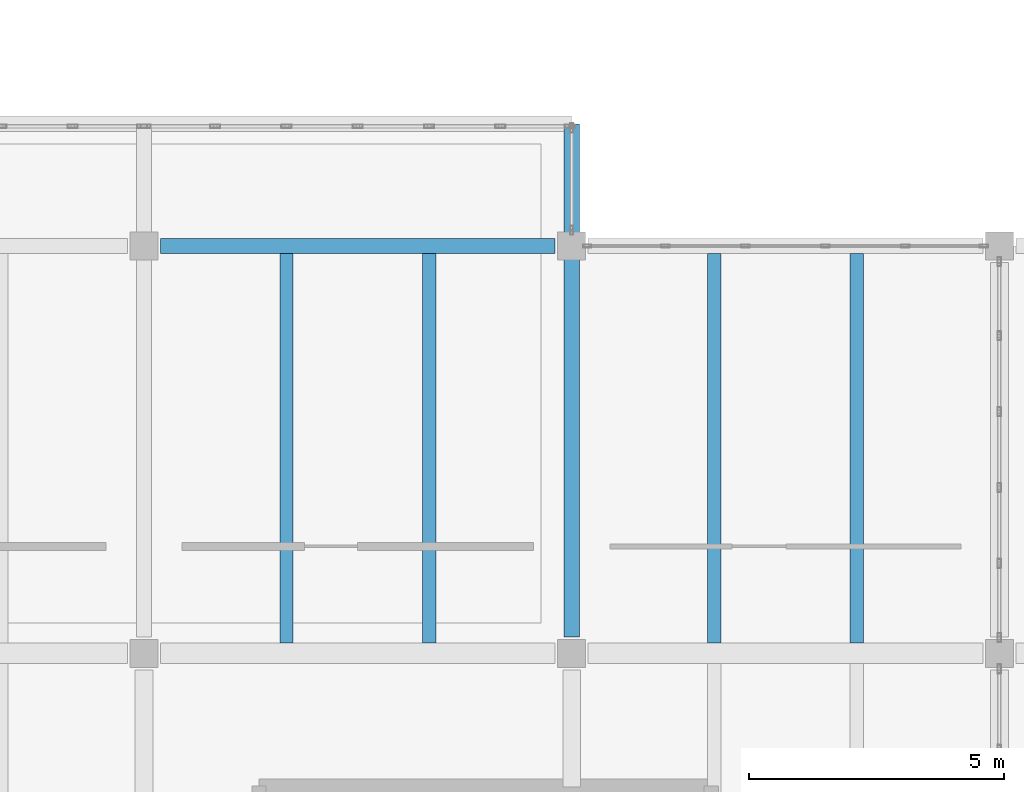
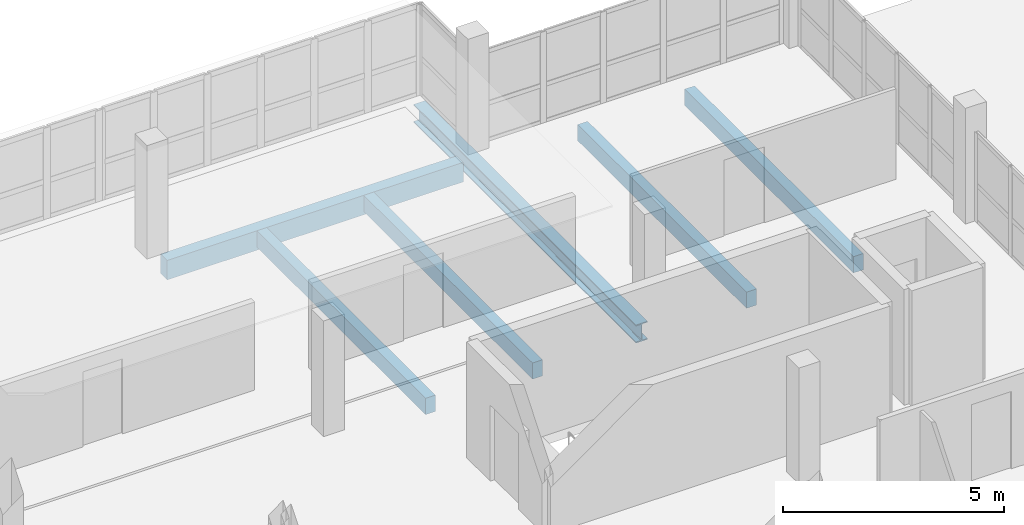
# One storey, part 11 of 24: 6 beams.
"""IFC4 building model written with IfcOpenShell, lengths in metres."""

from ifc_helpers import new_model, si_unit, direction, frame, origin, origin_2d, place, context, subcontext, project, spatial, rectangle, i_section, extrude, material, material_profile, profile_set, type_object, element, save


model = new_model("IFC4")

# Units and contexts
model_context = context("Model", 3, precision=1e-05, world=origin(), true_north=direction((0.0, 1.0)))
body_context = subcontext(model_context, "Body", "Model", "MODEL_VIEW")
ifc_project = project(units=[si_unit("LENGTHUNIT", "METRE"), si_unit("AREAUNIT", "SQUARE_METRE"), si_unit("VOLUMEUNIT", "CUBIC_METRE"), si_unit("PLANEANGLEUNIT", "RADIAN"), si_unit("MASSUNIT", "GRAM", prefix="KILO"), si_unit("THERMODYNAMICTEMPERATUREUNIT", "KELVIN"), si_unit("POWERUNIT", "WATT")], contexts=[model_context])

# Site, building, storey
site_placement = place(None, origin())
site = spatial("IfcSite", under=ifc_project, at=site_placement, CompositionType="ELEMENT")
building_placement = place(site_placement, origin())
building = spatial("IfcBuilding", under=site, at=building_placement, Name="Mavoryth Pier Ferry Terminal", CompositionType="ELEMENT")
storey_placement = place(building_placement, frame((0.0, 0.0, 16.320068359375)))
storey = spatial("IfcBuildingStorey", under=building, at=storey_placement, Name="L04", CompositionType="ELEMENT", Elevation=16.320068359375)

# Beams
ifc_material_1 = material(Name="Steel S355J2", Category="steel")
ifc_material_profile_1 = material_profile(ifc_material_1, i_section(OverallWidth=0.300048828125, OverallDepth=0.5, WebThickness=0.014404296875, FlangeThickness=0.028076171875, FilletRadius=0.027099609375, at=origin_2d()), Name="HEB 500", Category="steel")
ifc_profile_set_1 = profile_set([ifc_material_profile_1], Name="Steel S355J2 - HEB 500")
beam_type_1 = type_object("IfcBeamType", Name="Beam-Steel-HEB500", PredefinedType="BEAM", material=ifc_profile_set_1)
beam_1_placement = place(storey_placement, frame((67.199951171875, 14.324951171875, -0.510009765625), z_axis=(0.0, 1.0, 0.0), x_axis=(-1.0, 0.0, 0.0)))
element("IfcBeam", 1, at=beam_1_placement, inside=storey, type_object=beam_type_1, Name="Beam B04-SB01-1598", PredefinedType="BEAM", context=body_context, shape_type="SweptSolid", body=[
    extrude(i_section(OverallWidth=0.300048828125, OverallDepth=0.5, WebThickness=0.014404296875, FlangeThickness=0.028076171875, FilletRadius=0.027099609375, at=origin_2d()), origin(), (0.0, 0.0, 1.0), 10.074951171875),
])
ifc_material_2 = material(Name="Concrete C35/45", Category="concrete")
ifc_material_profile_2 = material_profile(ifc_material_2, rectangle(XDim=0.260009765625, YDim=0.449951171875, at=origin_2d()), Name="RC 260x450", Category="concrete")
ifc_profile_set_2 = profile_set([ifc_material_profile_2], Name="Concrete C35/45 - RC 260x450")
beam_type_2 = type_object("IfcBeamType", Name="Joist-RC-260x450", PredefinedType="JOIST", material=ifc_profile_set_2)
for number, where, z_axis, x_axis, name in (
    (2, (61.60009765625, 14.199951171875, -0.485107421875), (0.0, 1.0, 0.0), (-1.0, 0.0, 0.0), "Beam B04-BJ03-1504"),
    (3, (64.39990234375, 14.199951171875, -0.485107421875), (0.0, 1.0, 0.0), (-1.0, 0.0, 0.0), "Beam B04-BJ03-1505"),
    (4, (70.0, 14.199951171875, -0.485107421875), (0.0, 1.0, 0.0), (-1.0, 0.0, 0.0), "Beam B04-BJ03-1510"),
    (5, (72.800048828125, 14.199951171875, -0.485107421875), (0.0, 1.0, 0.0), (-1.0, 0.0, 0.0), "Beam B04-BJ03-1511"),
):
    element("IfcBeam", number, at=place(storey_placement, frame(where, z_axis=z_axis, x_axis=x_axis)), inside=storey, type_object=beam_type_2, Name=name, PredefinedType="JOIST", context=body_context, shape_type="SweptSolid", body=[
        extrude(rectangle(XDim=0.260009765625, YDim=0.449951171875, at=origin_2d()), origin(), (0.0, 0.0, 1.0), 7.650146484375),
    ])
ifc_material_profile_3 = material_profile(ifc_material_2, rectangle(XDim=0.300048828125, YDim=0.5400390625, at=origin_2d()), Name="RC 300x540", Category="concrete")
ifc_profile_set_3 = profile_set([ifc_material_profile_3], Name="Concrete C35/45 - RC 300x540")
beam_type_3 = type_object("IfcBeamType", Name="Spandrel-RC-300x540", PredefinedType="SPANDREL", material=ifc_profile_set_3)
beam_2_placement = place(storey_placement, frame((59.125, 22.0, -0.530029296875), z_axis=(1.0, 0.0, 0.0), x_axis=(0.0, 1.0, 0.0)))
element("IfcBeam", 6, at=beam_2_placement, inside=storey, type_object=beam_type_3, Name="Beam B04-SP02-1474", PredefinedType="SPANDREL", context=body_context, shape_type="SweptSolid", body=[
    extrude(rectangle(XDim=0.300048828125, YDim=0.5400390625, at=origin_2d()), origin(), (0.0, 0.0, 1.0), 7.75),
])

save(model, "model.ifc")
